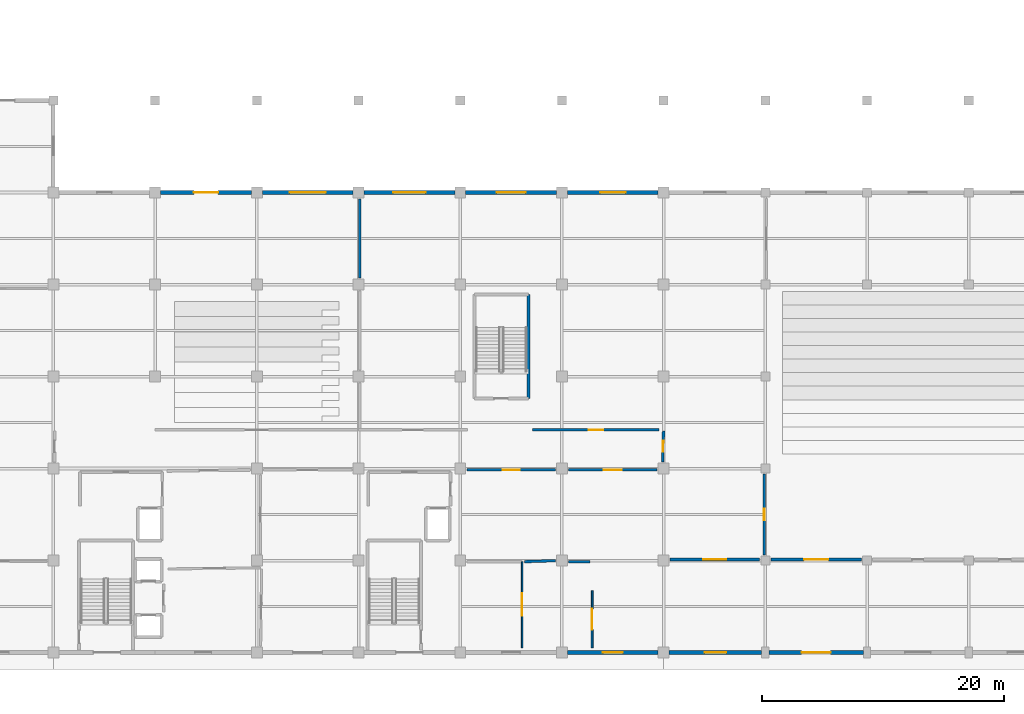
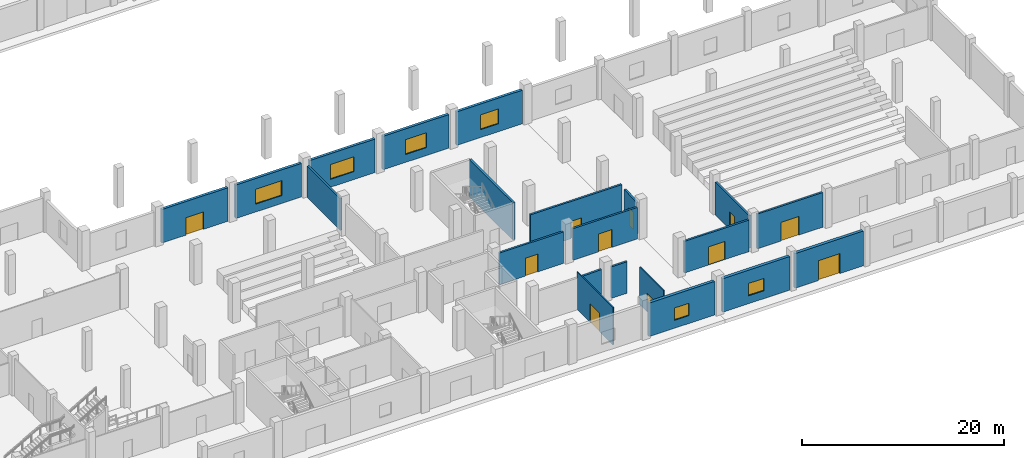
# One storey, part 19 of 36: 21 walls, 11 doors, 6 windows, 17 openings.
"""IFC4 building model written with IfcOpenShell, lengths in metres."""

from ifc_helpers import new_model, si_unit, direction, frame, frame_2d, origin, place, context, subcontext, project, spatial, rectangle, extrude, material, layer, layer_set, type_object, element, fill, save


model = new_model("IFC4")

# Units and contexts
model_context = context("Model", 3, precision=1e-05, world=origin(), true_north=direction((0.0, 1.0)))
body_context = subcontext(model_context, "Body", "Model", "MODEL_VIEW")
ifc_project = project(units=[si_unit("LENGTHUNIT", "METRE"), si_unit("AREAUNIT", "SQUARE_METRE"), si_unit("VOLUMEUNIT", "CUBIC_METRE"), si_unit("PLANEANGLEUNIT", "RADIAN"), si_unit("MASSUNIT", "GRAM", prefix="KILO")], contexts=[model_context])

# Site, building, storey
site_placement = place(None, origin())
site = spatial("IfcSite", under=ifc_project, at=site_placement, CompositionType="ELEMENT")
building_placement = place(site_placement, origin())
building = spatial("IfcBuilding", under=site, at=building_placement, Name="Zuvorla Pavilion Media Centre", CompositionType="ELEMENT")
storey_placement = place(building_placement, origin())
storey = spatial("IfcBuildingStorey", under=building, at=storey_placement, Name="L00", CompositionType="ELEMENT", Elevation=0.0)

# Wall, opening, door
ifc_material_1 = material(Name="Acoustic masonry blockwork C32/40", Category="masonry")
ifc_layer_1 = layer(ifc_material_1, 0.219970703125)
ifc_layer_set_1 = layer_set([ifc_layer_1], Name="Acoustic masonry blockwork C32/40")
wall_type_1 = type_object("IfcWallType", Name="WL-CMP-220", PredefinedType="SOLIDWALL", material=ifc_layer_set_1)
wall_1_placement = place(storey_placement, frame((108.260009765625, 21.090087890625, 0.0), z_axis=(0.0, 0.0, 1.0), x_axis=(-1.0, 0.0, 0.0)))
wall_1 = element("IfcWall", 1, at=wall_1_placement, inside=storey, type_object=wall_type_1, Name="L00 solid wall IW22 384", PredefinedType="SOLIDWALL", context=body_context, shape_type="SweptSolid", body=[
    extrude(rectangle(XDim=7.320068359375, YDim=0.219970703125, at=frame_2d((3.66015625, 0.0))), origin(), (0.0, 0.0, 1.0), 3.810302734375),
])
opening_1_placement = place(wall_1_placement, frame((2.9599609375, 0.0, 0.0)))
opening_1 = element("IfcOpeningElement", 2, at=opening_1_placement, cuts=wall_1, Name="Opening FD07", PredefinedType="OPENING", context=body_context, shape_type="SweptSolid", body=[
    extrude(rectangle(XDim=1.39990234375, YDim=2.14990234375, at=frame_2d((0.699951171875, 1.074951171875))), frame((0.0, 0.119873046875, 0.0), z_axis=(0.0, -1.0, 0.0), x_axis=(1.0, 0.0, 0.0)), (0.0, 0.0, 1.0), 0.239990234375),
])
ifc_material_2 = material(Name="Acoustic timber fire door leaf in steel frame", Category="steel")
door_type_1 = type_object("IfcDoorType", Name="DR-INT-FD07", OperationType="NOTDEFINED", PredefinedType="DOOR", material=ifc_material_2)
door_1_placement = place(opening_1_placement, origin())
door_1 = element("IfcDoor", 3, at=door_1_placement, inside=storey, type_object=door_type_1, Name="Interior door FD07 128", OperationType="DOUBLE_DOOR_SINGLE_SWING", OverallHeight=2.14990234375, OverallWidth=1.39990234375, PredefinedType="DOOR", context=body_context, shape_type="SweptSolid", body=[
    extrude(rectangle(XDim=1.39990234375, YDim=2.14990234375, at=frame_2d((0.699951171875, 1.074951171875))), frame((0.0, 0.02490234375, 0.0), z_axis=(0.0, -1.0, 0.0), x_axis=(1.0, 0.0, 0.0)), (0.0, 0.0, 1.0), 0.050048828125),
])
fill(opening_1, door_1)

wall_2_placement = place(storey_placement, frame((116.659912109375, 21.090087890625, 0.0), z_axis=(0.0, 0.0, 1.0), x_axis=(-1.0, 0.0, 0.0)))
wall_2 = element("IfcWall", 4, at=wall_2_placement, inside=storey, type_object=wall_type_1, Name="L00 solid wall IW22 385", PredefinedType="SOLIDWALL", context=body_context, shape_type="SweptSolid", body=[
    extrude(rectangle(XDim=7.31982421875, YDim=0.219970703125, at=frame_2d((3.659912109375, 0.0))), origin(), (0.0, 0.0, 1.0), 3.810302734375),
])
opening_2_placement = place(wall_2_placement, frame((2.909912109375, 0.0, 0.0)))
opening_2 = element("IfcOpeningElement", 5, at=opening_2_placement, cuts=wall_2, Name="Opening FD08", PredefinedType="OPENING", context=body_context, shape_type="SweptSolid", body=[
    extrude(rectangle(XDim=1.5, YDim=2.14990234375, at=frame_2d((0.75, 1.074951171875))), frame((0.0, 0.119873046875, 0.0), z_axis=(0.0, -1.0, 0.0), x_axis=(1.0, 0.0, 0.0)), (0.0, 0.0, 1.0), 0.239990234375),
])
door_type_2 = type_object("IfcDoorType", Name="DR-INT-FD08", OperationType="NOTDEFINED", PredefinedType="DOOR", material=ifc_material_2)
door_2_placement = place(opening_2_placement, origin())
door_2 = element("IfcDoor", 6, at=door_2_placement, inside=storey, type_object=door_type_2, Name="Interior door FD08 129", OperationType="DOUBLE_DOOR_SINGLE_SWING", OverallHeight=2.14990234375, OverallWidth=1.5, PredefinedType="DOOR", context=body_context, shape_type="SweptSolid", body=[
    extrude(rectangle(XDim=1.5, YDim=2.14990234375, at=frame_2d((0.75, 1.074951171875))), frame((0.0, 0.02490234375, 0.0), z_axis=(0.0, -1.0, 0.0), x_axis=(1.0, 0.0, 0.0)), (0.0, 0.0, 1.0), 0.050048828125),
])
fill(opening_2, door_2)

wall_3_placement = place(storey_placement, frame((125.510009765625, 20.735107421875, 0.0), z_axis=(0.0, 0.0, 1.0), x_axis=(0.0, -1.0, 0.0)))
wall_3 = element("IfcWall", 7, at=wall_3_placement, inside=storey, type_object=wall_type_1, Name="L00 solid wall IW22 391", PredefinedType="SOLIDWALL", context=body_context, shape_type="SweptSolid", body=[
    extrude(rectangle(XDim=6.670166015625, YDim=0.219970703125, at=frame_2d((3.3349609375, 0.0))), origin(), (0.0, 0.0, 1.0), 3.9501953125),
])
opening_3_placement = place(wall_3_placement, frame((2.860107421875, 0.0, 0.0)))
opening_3 = element("IfcOpeningElement", 8, at=opening_3_placement, cuts=wall_3, Name="Opening FD02", PredefinedType="OPENING", context=body_context, shape_type="SweptSolid", body=[
    extrude(rectangle(XDim=0.949951171875, YDim=2.10009765625, at=frame_2d((0.47509765625, 1.050048828125))), frame((0.0, 0.119873046875, 0.0), z_axis=(0.0, -1.0, 0.0), x_axis=(1.0, 0.0, 0.0)), (0.0, 0.0, 1.0), 0.239990234375),
])
door_type_3 = type_object("IfcDoorType", Name="DR-INT-FD02", OperationType="NOTDEFINED", PredefinedType="DOOR", material=ifc_material_2)
door_3_placement = place(opening_3_placement, origin())
door_3 = element("IfcDoor", 9, at=door_3_placement, inside=storey, type_object=door_type_3, Name="Interior door FD02 135", OperationType="SINGLE_SWING_RIGHT", OverallHeight=2.10009765625, OverallWidth=0.949951171875, PredefinedType="DOOR", context=body_context, shape_type="SweptSolid", body=[
    extrude(rectangle(XDim=0.949951171875, YDim=2.10009765625, at=frame_2d((0.47509765625, 1.050048828125))), frame((0.0, 0.02490234375, 0.0), z_axis=(0.0, -1.0, 0.0), x_axis=(1.0, 0.0, 0.0)), (0.0, 0.0, 1.0), 0.050048828125),
])
fill(opening_3, door_3)

wall_4_placement = place(storey_placement, frame((133.534912109375, 13.68994140625, 0.0), z_axis=(0.0, 0.0, 1.0), x_axis=(-1.0, 0.0, 0.0)))
wall_4 = element("IfcWall", 10, at=wall_4_placement, inside=storey, type_object=wall_type_1, Name="L00 solid wall IW22 409", PredefinedType="SOLIDWALL", context=body_context, shape_type="SweptSolid", body=[
    extrude(rectangle(XDim=7.469970703125, YDim=0.219970703125, at=frame_2d((3.73486328125, 0.0))), origin(), (0.0, 0.0, 1.0), 4.18701171875),
])
opening_4_placement = place(wall_4_placement, frame((2.735107421875, 0.0, 0.0)))
opening_4 = element("IfcOpeningElement", 11, at=opening_4_placement, cuts=wall_4, Name="Opening FD12", PredefinedType="OPENING", context=body_context, shape_type="SweptSolid", body=[
    extrude(rectangle(XDim=2.0, YDim=2.25, at=frame_2d((1.0, 1.125))), frame((0.0, 0.119873046875, 0.0), z_axis=(0.0, -1.0, 0.0), x_axis=(1.0, 0.0, 0.0)), (0.0, 0.0, 1.0), 0.239990234375),
])
door_type_4 = type_object("IfcDoorType", Name="DR-INT-FD12", OperationType="NOTDEFINED", PredefinedType="DOOR", material=ifc_material_2)
door_4_placement = place(opening_4_placement, origin())
door_4 = element("IfcDoor", 12, at=door_4_placement, inside=storey, type_object=door_type_4, Name="Interior door FD12 153", OperationType="DOUBLE_DOOR_SINGLE_SWING", OverallHeight=2.25, OverallWidth=2.0, PredefinedType="DOOR", context=body_context, shape_type="SweptSolid", body=[
    extrude(rectangle(XDim=2.0, YDim=2.25, at=frame_2d((1.0, 1.125))), frame((0.0, 0.02490234375, 0.0), z_axis=(0.0, -1.0, 0.0), x_axis=(1.0, 0.0, 0.0)), (0.0, 0.0, 1.0), 0.050048828125),
])
fill(opening_4, door_4)

wall_5_placement = place(storey_placement, frame((106.380615234375, 24.39990234375, 0.0), z_axis=(0.0, 0.0, 1.0), x_axis=(1.0, 0.0, 0.0)))
wall_5 = element("IfcWall", 13, at=wall_5_placement, inside=storey, type_object=wall_type_1, Name="L00 solid wall IW22 419", PredefinedType="SOLIDWALL", context=body_context, shape_type="SweptSolid", body=[
    extrude(rectangle(XDim=10.43896484375, YDim=0.219970703125, at=frame_2d((5.219482421875, 0.0))), origin(), (0.0, 0.0, 1.0), 4.5),
])
opening_5_placement = place(wall_5_placement, frame((4.619384765625, 0.0, 0.0)))
opening_5 = element("IfcOpeningElement", 14, at=opening_5_placement, cuts=wall_5, Name="Opening FD06", PredefinedType="OPENING", context=body_context, shape_type="SweptSolid", body=[
    extrude(rectangle(XDim=1.199951171875, YDim=2.10009765625, at=frame_2d((0.60009765625, 1.050048828125))), frame((0.0, 0.119873046875, 0.0), z_axis=(0.0, -1.0, 0.0), x_axis=(1.0, 0.0, 0.0)), (0.0, 0.0, 1.0), 0.239990234375),
])
door_type_5 = type_object("IfcDoorType", Name="DR-INT-FD06", OperationType="NOTDEFINED", PredefinedType="DOOR", material=ifc_material_2)
door_5_placement = place(opening_5_placement, origin())
door_5 = element("IfcDoor", 15, at=door_5_placement, inside=storey, type_object=door_type_5, Name="Interior door FD06 163", OperationType="SINGLE_SWING_LEFT", OverallHeight=2.10009765625, OverallWidth=1.199951171875, PredefinedType="DOOR", context=body_context, shape_type="SweptSolid", body=[
    extrude(rectangle(XDim=1.199951171875, YDim=2.10009765625, at=frame_2d((0.60009765625, 1.050048828125))), frame((0.0, 0.02490234375, 0.0), z_axis=(0.0, -1.0, 0.0), x_axis=(1.0, 0.0, 0.0)), (0.0, 0.0, 1.0), 0.050048828125),
])
fill(opening_5, door_5)

wall_6_placement = place(storey_placement, frame((117.197509765625, 24.320068359375, 0.0), z_axis=(0.0, 0.0, 1.0), x_axis=(-0.032911759551, -0.999458261301, 0.0)))
wall_6 = element("IfcWall", 16, at=wall_6_placement, inside=storey, type_object=wall_type_1, Name="L00 solid wall IW22 420", PredefinedType="SOLIDWALL", context=body_context, shape_type="SweptSolid", body=[
    extrude(rectangle(XDim=2.58154296875, YDim=0.219970703125, at=frame_2d((1.290771484375, 0.0))), origin(), (0.0, 0.0, 1.0), 3.810302734375),
])
opening_6_placement = place(wall_6_placement, frame((0.8408203125, 0.0, 0.0)))
opening_6 = element("IfcOpeningElement", 17, at=opening_6_placement, cuts=wall_6, Name="Opening FD01", PredefinedType="OPENING", context=body_context, shape_type="SweptSolid", body=[
    extrude(rectangle(XDim=0.89990234375, YDim=2.10009765625, at=frame_2d((0.449951171875, 1.050048828125))), frame((0.0, 0.119873046875, 0.0), z_axis=(0.0, -1.0, 0.0), x_axis=(1.0, 0.0, 0.0)), (0.0, 0.0, 1.0), 0.239990234375),
])
door_type_6 = type_object("IfcDoorType", Name="DR-INT-FD01", OperationType="NOTDEFINED", PredefinedType="DOOR", material=ifc_material_2)
door_6_placement = place(opening_6_placement, origin())
door_6 = element("IfcDoor", 18, at=door_6_placement, inside=storey, type_object=door_type_6, Name="Interior door FD01 164", OperationType="SINGLE_SWING_RIGHT", OverallHeight=2.10009765625, OverallWidth=0.89990234375, PredefinedType="DOOR", context=body_context, shape_type="SweptSolid", body=[
    extrude(rectangle(XDim=0.89990234375, YDim=2.10009765625, at=frame_2d((0.449951171875, 1.050048828125))), frame((0.0, 0.02490234375, 0.0), z_axis=(0.0, -1.0, 0.0), x_axis=(1.0, 0.0, 0.0)), (0.0, 0.0, 1.0), 0.050048828125),
])
fill(opening_6, door_6)

wall_7_placement = place(storey_placement, frame((125.135009765625, 13.68994140625, 0.0), z_axis=(0.0, 0.0, 1.0), x_axis=(-1.0, 0.0, 0.0)))
wall_7 = element("IfcWall", 19, at=wall_7_placement, inside=storey, type_object=wall_type_1, Name="L00 solid wall IW22 424", PredefinedType="SOLIDWALL", context=body_context, shape_type="SweptSolid", body=[
    extrude(rectangle(XDim=7.39501953125, YDim=0.219970703125, at=frame_2d((3.697509765625, 0.0))), origin(), (0.0, 0.0, 1.0), 3.810302734375),
])
opening_7_placement = place(wall_7_placement, frame((2.74755859375, 0.0, 0.0)))
opening_7 = element("IfcOpeningElement", 20, at=opening_7_placement, cuts=wall_7, Name="Opening FD11", PredefinedType="OPENING", context=body_context, shape_type="SweptSolid", body=[
    extrude(rectangle(XDim=1.89990234375, YDim=2.199951171875, at=frame_2d((0.949951171875, 1.10009765625))), frame((0.0, 0.119873046875, 0.0), z_axis=(0.0, -1.0, 0.0), x_axis=(1.0, 0.0, 0.0)), (0.0, 0.0, 1.0), 0.239990234375),
])
door_type_7 = type_object("IfcDoorType", Name="DR-INT-FD11", OperationType="NOTDEFINED", PredefinedType="DOOR", material=ifc_material_2)
door_7_placement = place(opening_7_placement, origin())
door_7 = element("IfcDoor", 21, at=door_7_placement, inside=storey, type_object=door_type_7, Name="Interior door FD11 168", OperationType="DOUBLE_DOOR_SINGLE_SWING", OverallHeight=2.199951171875, OverallWidth=1.89990234375, PredefinedType="DOOR", context=body_context, shape_type="SweptSolid", body=[
    extrude(rectangle(XDim=1.89990234375, YDim=2.199951171875, at=frame_2d((0.949951171875, 1.10009765625))), frame((0.0, 0.02490234375, 0.0), z_axis=(0.0, -1.0, 0.0), x_axis=(1.0, 0.0, 0.0)), (0.0, 0.0, 1.0), 0.050048828125),
])
fill(opening_7, door_7)

# Walls
wall_8_placement = place(storey_placement, frame((105.68994140625, 13.511474609375, 0.0), z_axis=(0.0, 0.0, 1.0), x_axis=(0.999441424237, 0.033419148982, 0.0)))
element("IfcWall", 22, at=wall_8_placement, inside=storey, type_object=wall_type_1, Name="L00 solid wall IW22 433", PredefinedType="SOLIDWALL", context=body_context, shape_type="SweptSolid", body=[
    extrude(rectangle(XDim=2.571533203125, YDim=0.219970703125, at=frame_2d((1.28564453125, 0.0))), origin(), (0.0, 0.0, 1.0), 3.810302734375),
])
wall_9_placement = place(storey_placement, frame((109.340087890625, 13.509521484375, 0.0), z_axis=(0.0, 0.0, 1.0), x_axis=(0.999988478092, -0.004800383587, 0.0)))
element("IfcWall", 23, at=wall_9_placement, inside=storey, type_object=wall_type_1, Name="L00 solid wall IW22 434", PredefinedType="SOLIDWALL", context=body_context, shape_type="SweptSolid", body=[
    extrude(rectangle(XDim=1.780029296875, YDim=0.219970703125, at=frame_2d((0.89013671875, 0.0))), origin(), (0.0, 0.0, 1.0), 3.810302734375),
])
wall_10_placement = place(storey_placement, frame((92.090087890625, 36.93994140625, 0.0), z_axis=(0.0, 0.0, 1.0), x_axis=(0.0, 1.0, 0.0)))
element("IfcWall", 24, at=wall_10_placement, inside=storey, type_object=wall_type_1, Name="L00 solid wall IW22 443", PredefinedType="SOLIDWALL", context=body_context, shape_type="SweptSolid", body=[
    extrude(rectangle(XDim=6.52001953125, YDim=0.219970703125, at=frame_2d((3.260009765625, 0.0))), origin(), (0.0, 0.0, 1.0), 3.810302734375),
])
ifc_material_3 = material(Name="Concrete C40/50", Category="concrete")
ifc_layer_2 = layer(ifc_material_3, 0.25)
ifc_layer_set_2 = layer_set([ifc_layer_2], Name="Concrete C40/50")
wall_type_2 = type_object("IfcWallType", Name="WL-COR-250", PredefinedType="SHEAR", material=ifc_layer_set_2)
wall_11_placement = place(storey_placement, frame((106.02490234375, 26.97509765625, 0.0), z_axis=(0.0, 0.0, 1.0), x_axis=(0.0, 1.0, 0.0)))
element("IfcWall", 25, at=wall_11_placement, inside=storey, type_object=wall_type_2, Name="L00 shear wall CW25 306", PredefinedType="SHEAR", context=body_context, shape_type="SweptSolid", body=[
    extrude(rectangle(XDim=8.599853515625, YDim=0.25, at=frame_2d((4.2998046875, 0.0))), origin(), (0.0, 0.0, 1.0), 4.52001953125),
])

# Wall, opening, window
ifc_material_4 = material(Name="White rendered concrete C32/40", Category="concrete")
ifc_layer_3 = layer(ifc_material_4, 0.300048828125)
ifc_layer_set_3 = layer_set([ifc_layer_3], Name="White rendered concrete C32/40")
wall_type_3 = type_object("IfcWallType", Name="WL-EXT-300", PredefinedType="SOLIDWALL", material=ifc_layer_set_3)
wall_12_placement = place(storey_placement, frame((116.75, 44.0, 0.0), z_axis=(0.0, 0.0, 1.0), x_axis=(-1.0, 0.0, 0.0)))
wall_12 = element("IfcWall", 26, at=wall_12_placement, inside=storey, type_object=wall_type_3, Name="L00 exterior solid wall EW03 75", PredefinedType="SOLIDWALL", context=body_context, shape_type="SweptSolid", body=[
    extrude(rectangle(XDim=7.5, YDim=0.300048828125, at=frame_2d((3.75, 0.0))), origin(), (0.0, 0.0, 1.0), 4.047119140625),
])
opening_8_placement = place(wall_12_placement, frame((2.699951171875, 0.0, 0.949951171875)))
opening_8 = element("IfcOpeningElement", 27, at=opening_8_placement, cuts=wall_12, Name="Opening WN13", PredefinedType="OPENING", context=body_context, shape_type="SweptSolid", body=[
    extrude(rectangle(XDim=2.10009765625, YDim=1.800048828125, at=frame_2d((1.050048828125, 0.89990234375))), frame((0.0, 0.159912109375, 0.0), z_axis=(0.0, -1.0, 0.0), x_axis=(1.0, 0.0, 0.0)), (0.0, 0.0, 1.0), 0.320068359375),
])
ifc_material_5 = material(Name="Anodised aluminium frame with solar double glazing", Category="aluminium")
window_type_1 = type_object("IfcWindowType", Name="WIN-WN13", PartitioningType="DOUBLE_PANEL_VERTICAL", PredefinedType="WINDOW", material=ifc_material_5)
window_1_placement = place(opening_8_placement, origin())
window_1 = element("IfcWindow", 28, at=window_1_placement, inside=storey, type_object=window_type_1, Name="L00 window WN13 13", OverallHeight=1.800048828125, OverallWidth=2.10009765625, PartitioningType="DOUBLE_PANEL_VERTICAL", PredefinedType="WINDOW", context=body_context, shape_type="SweptSolid", body=[
    extrude(rectangle(XDim=2.10009765625, YDim=1.800048828125, at=frame_2d((1.050048828125, 0.89990234375))), frame((0.0, 0.030029296875, 0.0), z_axis=(0.0, -1.0, 0.0), x_axis=(1.0, 0.0, 0.0)), (0.0, 0.0, 1.0), 0.06005859375),
])
fill(opening_8, window_1)

wall_13_placement = place(storey_placement, frame((108.35009765625, 44.0, 0.0), z_axis=(0.0, 0.0, 1.0), x_axis=(-1.0, 0.0, 0.0)))
wall_13 = element("IfcWall", 29, at=wall_13_placement, inside=storey, type_object=wall_type_3, Name="L00 exterior solid wall EW03 76", PredefinedType="SOLIDWALL", context=body_context, shape_type="SweptSolid", body=[
    extrude(rectangle(XDim=7.5, YDim=0.300048828125, at=frame_2d((3.75, 0.0))), origin(), (0.0, 0.0, 1.0), 4.047119140625),
])
opening_9_placement = place(wall_13_placement, frame((2.550048828125, 0.0, 0.949951171875)))
opening_9 = element("IfcOpeningElement", 30, at=opening_9_placement, cuts=wall_13, Name="Opening WN14", PredefinedType="OPENING", context=body_context, shape_type="SweptSolid", body=[
    extrude(rectangle(XDim=2.39990234375, YDim=1.800048828125, at=frame_2d((1.199951171875, 0.89990234375))), frame((0.0, 0.159912109375, 0.0), z_axis=(0.0, -1.0, 0.0), x_axis=(1.0, 0.0, 0.0)), (0.0, 0.0, 1.0), 0.320068359375),
])
window_type_2 = type_object("IfcWindowType", Name="WIN-WN14", PartitioningType="DOUBLE_PANEL_VERTICAL", PredefinedType="WINDOW", material=ifc_material_5)
window_2_placement = place(opening_9_placement, origin())
window_2 = element("IfcWindow", 31, at=window_2_placement, inside=storey, type_object=window_type_2, Name="L00 window WN14 14", OverallHeight=1.800048828125, OverallWidth=2.39990234375, PartitioningType="DOUBLE_PANEL_VERTICAL", PredefinedType="WINDOW", context=body_context, shape_type="SweptSolid", body=[
    extrude(rectangle(XDim=2.39990234375, YDim=1.800048828125, at=frame_2d((1.199951171875, 0.89990234375))), frame((0.0, 0.030029296875, 0.0), z_axis=(0.0, -1.0, 0.0), x_axis=(1.0, 0.0, 0.0)), (0.0, 0.0, 1.0), 0.06005859375),
])
fill(opening_9, window_2)

wall_14_placement = place(storey_placement, frame((99.949951171875, 44.0, 0.0), z_axis=(0.0, 0.0, 1.0), x_axis=(-1.0, 0.0, 0.0)))
wall_14 = element("IfcWall", 32, at=wall_14_placement, inside=storey, type_object=wall_type_3, Name="L00 exterior solid wall EW03 77", PredefinedType="SOLIDWALL", context=body_context, shape_type="SweptSolid", body=[
    extrude(rectangle(XDim=7.5, YDim=0.300048828125, at=frame_2d((3.75, 0.0))), origin(), (0.0, 0.0, 1.0), 4.047119140625),
])
opening_10_placement = place(wall_14_placement, frame((2.39990234375, 0.0, 0.949951171875)))
opening_10 = element("IfcOpeningElement", 33, at=opening_10_placement, cuts=wall_14, Name="Opening WN15", PredefinedType="OPENING", context=body_context, shape_type="SweptSolid", body=[
    extrude(rectangle(XDim=2.699951171875, YDim=1.800048828125, at=frame_2d((1.35009765625, 0.89990234375))), frame((0.0, 0.159912109375, 0.0), z_axis=(0.0, -1.0, 0.0), x_axis=(1.0, 0.0, 0.0)), (0.0, 0.0, 1.0), 0.320068359375),
])
window_type_3 = type_object("IfcWindowType", Name="WIN-WN15", PartitioningType="DOUBLE_PANEL_VERTICAL", PredefinedType="WINDOW", material=ifc_material_5)
window_3_placement = place(opening_10_placement, origin())
window_3 = element("IfcWindow", 34, at=window_3_placement, inside=storey, type_object=window_type_3, Name="L00 window WN15 15", OverallHeight=1.800048828125, OverallWidth=2.699951171875, PartitioningType="DOUBLE_PANEL_VERTICAL", PredefinedType="WINDOW", context=body_context, shape_type="SweptSolid", body=[
    extrude(rectangle(XDim=2.699951171875, YDim=1.800048828125, at=frame_2d((1.35009765625, 0.89990234375))), frame((0.0, 0.030029296875, 0.0), z_axis=(0.0, -1.0, 0.0), x_axis=(1.0, 0.0, 0.0)), (0.0, 0.0, 1.0), 0.06005859375),
])
fill(opening_10, window_3)

wall_15_placement = place(storey_placement, frame((91.550048828125, 44.0, 0.0), z_axis=(0.0, 0.0, 1.0), x_axis=(-1.0, 0.0, 0.0)))
wall_15 = element("IfcWall", 35, at=wall_15_placement, inside=storey, type_object=wall_type_3, Name="L00 exterior solid wall EW03 78", PredefinedType="SOLIDWALL", context=body_context, shape_type="SweptSolid", body=[
    extrude(rectangle(XDim=7.5, YDim=0.300048828125, at=frame_2d((3.75, 0.0))), origin(), (0.0, 0.0, 1.0), 4.047119140625),
])
opening_11_placement = place(wall_15_placement, frame((2.25, 0.0, 0.949951171875)))
opening_11 = element("IfcOpeningElement", 36, at=opening_11_placement, cuts=wall_15, Name="Opening WN16", PredefinedType="OPENING", context=body_context, shape_type="SweptSolid", body=[
    extrude(rectangle(XDim=3.0, YDim=1.800048828125, at=frame_2d((1.5, 0.89990234375))), frame((0.0, 0.159912109375, 0.0), z_axis=(0.0, -1.0, 0.0), x_axis=(1.0, 0.0, 0.0)), (0.0, 0.0, 1.0), 0.320068359375),
])
window_type_4 = type_object("IfcWindowType", Name="WIN-WN16", PartitioningType="DOUBLE_PANEL_VERTICAL", PredefinedType="WINDOW", material=ifc_material_5)
window_4_placement = place(opening_11_placement, origin())
window_4 = element("IfcWindow", 37, at=window_4_placement, inside=storey, type_object=window_type_4, Name="L00 window WN16 16", OverallHeight=1.800048828125, OverallWidth=3.0, PartitioningType="DOUBLE_PANEL_VERTICAL", PredefinedType="WINDOW", context=body_context, shape_type="SweptSolid", body=[
    extrude(rectangle(XDim=3.0, YDim=1.800048828125, at=frame_2d((1.5, 0.89990234375))), frame((0.0, 0.030029296875, 0.0), z_axis=(0.0, -1.0, 0.0), x_axis=(1.0, 0.0, 0.0)), (0.0, 0.0, 1.0), 0.06005859375),
])
fill(opening_11, window_4)

# Wall, opening, door
wall_16_placement = place(storey_placement, frame((83.14990234375, 44.0, 0.0), z_axis=(0.0, 0.0, 1.0), x_axis=(-1.0, 0.0, 0.0)))
wall_16 = element("IfcWall", 38, at=wall_16_placement, inside=storey, type_object=wall_type_3, Name="L00 exterior solid wall EW03 79", PredefinedType="SOLIDWALL", context=body_context, shape_type="SweptSolid", body=[
    extrude(rectangle(XDim=7.5, YDim=0.300048828125, at=frame_2d((3.75, 0.0))), origin(), (0.0, 0.0, 1.0), 4.047119140625),
])
opening_12_placement = place(wall_16_placement, frame((2.75, 0.0, 0.0)))
opening_12 = element("IfcOpeningElement", 39, at=opening_12_placement, cuts=wall_16, Name="Opening GT02", PredefinedType="OPENING", context=body_context, shape_type="SweptSolid", body=[
    extrude(rectangle(XDim=2.0, YDim=2.10009765625, at=frame_2d((1.0, 1.050048828125))), frame((0.0, 0.159912109375, 0.0), z_axis=(0.0, -1.0, 0.0), x_axis=(1.0, 0.0, 0.0)), (0.0, 0.0, 1.0), 0.320068359375),
])
ifc_material_6 = material(Name="Architectural powder-coated steel service gate", Category="steel")
door_type_8 = type_object("IfcDoorType", Name="DR-GAT-200x210", OperationType="NOTDEFINED", PredefinedType="GATE", material=ifc_material_6)
door_8_placement = place(opening_12_placement, frame((2.0, 0.0, 0.0), z_axis=(0.0, 0.0, 1.0), x_axis=(-1.0, 0.0, 0.0)))
door_8 = element("IfcDoor", 40, at=door_8_placement, inside=storey, type_object=door_type_8, Name="Exterior Exit Door DR-EXT-L00-010", OperationType="DOUBLE_DOOR_SINGLE_SWING", OverallHeight=2.10009765625, OverallWidth=2.0, PredefinedType="GATE", context=body_context, shape_type="SweptSolid", body=[
    extrude(rectangle(XDim=2.0, YDim=2.10009765625, at=frame_2d((1.0, 1.050048828125))), frame((0.0, 0.02490234375, 0.0), z_axis=(0.0, -1.0, 0.0), x_axis=(1.0, 0.0, 0.0)), (0.0, 0.0, 1.0), 0.050048828125),
])
fill(opening_12, door_8)

# Wall, opening, window
ifc_layer_4 = layer(ifc_material_4, 0.340087890625)
ifc_layer_set_4 = layer_set([ifc_layer_4], Name="White rendered concrete C32/40")
wall_type_4 = type_object("IfcWallType", Name="WL-EXT-340", PredefinedType="SOLIDWALL", material=ifc_layer_set_4)
wall_17_placement = place(storey_placement, frame((109.25, 6.0, 0.0), z_axis=(0.0, 0.0, 1.0), x_axis=(1.0, 0.0, 0.0)))
wall_17 = element("IfcWall", 41, at=wall_17_placement, inside=storey, type_object=wall_type_4, Name="L00 exterior solid wall EW02 59", PredefinedType="SOLIDWALL", context=body_context, shape_type="SweptSolid", body=[
    extrude(rectangle(XDim=7.5, YDim=0.340087890625, at=frame_2d((3.75, 0.0))), origin(), (0.0, 0.0, 1.0), 4.047119140625),
])
opening_13_placement = place(wall_17_placement, frame((2.925048828125, 0.0, 0.949951171875)))
opening_13 = element("IfcOpeningElement", 42, at=opening_13_placement, cuts=wall_17, Name="Opening WN04", PredefinedType="OPENING", context=body_context, shape_type="SweptSolid", body=[
    extrude(rectangle(XDim=1.64990234375, YDim=1.5, at=frame_2d((0.824951171875, 0.75))), frame((0.0, 0.179931640625, 0.0), z_axis=(0.0, -1.0, 0.0), x_axis=(1.0, 0.0, 0.0)), (0.0, 0.0, 1.0), 0.360107421875),
])
window_type_5 = type_object("IfcWindowType", Name="WIN-WN04", PartitioningType="SINGLE_PANEL", PredefinedType="WINDOW", material=ifc_material_5)
window_5_placement = place(opening_13_placement, origin())
window_5 = element("IfcWindow", 43, at=window_5_placement, inside=storey, type_object=window_type_5, Name="L00 window WN04 4", OverallHeight=1.5, OverallWidth=1.64990234375, PartitioningType="SINGLE_PANEL", PredefinedType="WINDOW", context=body_context, shape_type="SweptSolid", body=[
    extrude(rectangle(XDim=1.64990234375, YDim=1.5, at=frame_2d((0.824951171875, 0.75))), frame((0.0, 0.030029296875, 0.0), z_axis=(0.0, -1.0, 0.0), x_axis=(1.0, 0.0, 0.0)), (0.0, 0.0, 1.0), 0.06005859375),
])
fill(opening_13, window_5)

wall_18_placement = place(storey_placement, frame((117.64990234375, 6.0, 0.0), z_axis=(0.0, 0.0, 1.0), x_axis=(1.0, 0.0, 0.0)))
wall_18 = element("IfcWall", 44, at=wall_18_placement, inside=storey, type_object=wall_type_4, Name="L00 exterior solid wall EW02 60", PredefinedType="SOLIDWALL", context=body_context, shape_type="SweptSolid", body=[
    extrude(rectangle(XDim=7.650146484375, YDim=0.340087890625, at=frame_2d((3.8251953125, 0.0))), origin(), (0.0, 0.0, 1.0), 4.047119140625),
])
opening_14_placement = place(wall_18_placement, frame((2.925048828125, 0.0, 0.949951171875)))
opening_14 = element("IfcOpeningElement", 45, at=opening_14_placement, cuts=wall_18, Name="Opening WN05", PredefinedType="OPENING", context=body_context, shape_type="SweptSolid", body=[
    extrude(rectangle(XDim=1.800048828125, YDim=1.5, at=frame_2d((0.89990234375, 0.75))), frame((0.0, 0.179931640625, 0.0), z_axis=(0.0, -1.0, 0.0), x_axis=(1.0, 0.0, 0.0)), (0.0, 0.0, 1.0), 0.360107421875),
])
window_type_6 = type_object("IfcWindowType", Name="WIN-WN05", PartitioningType="DOUBLE_PANEL_VERTICAL", PredefinedType="WINDOW", material=ifc_material_5)
window_6_placement = place(opening_14_placement, origin())
window_6 = element("IfcWindow", 46, at=window_6_placement, inside=storey, type_object=window_type_6, Name="L00 window WN05 5", OverallHeight=1.5, OverallWidth=1.800048828125, PartitioningType="DOUBLE_PANEL_VERTICAL", PredefinedType="WINDOW", context=body_context, shape_type="SweptSolid", body=[
    extrude(rectangle(XDim=1.800048828125, YDim=1.5, at=frame_2d((0.89990234375, 0.75))), frame((0.0, 0.030029296875, 0.0), z_axis=(0.0, -1.0, 0.0), x_axis=(1.0, 0.0, 0.0)), (0.0, 0.0, 1.0), 0.06005859375),
])
fill(opening_14, window_6)

# Wall, opening, door
wall_19_placement = place(storey_placement, frame((125.89990234375, 6.0, 0.0), z_axis=(0.0, 0.0, 1.0), x_axis=(1.0, 0.0, 0.0)))
wall_19 = element("IfcWall", 47, at=wall_19_placement, inside=storey, type_object=wall_type_4, Name="L00 exterior solid wall EW02 61", PredefinedType="SOLIDWALL", context=body_context, shape_type="SweptSolid", body=[
    extrude(rectangle(XDim=7.800048828125, YDim=0.340087890625, at=frame_2d((3.89990234375, 0.0))), origin(), (0.0, 0.0, 1.0), 4.18701171875),
])
opening_15_placement = place(wall_19_placement, frame((2.699951171875, 0.0, 0.0)))
opening_15 = element("IfcOpeningElement", 48, at=opening_15_placement, cuts=wall_19, Name="Opening ED01", PredefinedType="OPENING", context=body_context, shape_type="SweptSolid", body=[
    extrude(rectangle(XDim=2.39990234375, YDim=2.39990234375, at=frame_2d((1.199951171875, 1.199951171875))), frame((0.0, 0.179931640625, 0.0), z_axis=(0.0, -1.0, 0.0), x_axis=(1.0, 0.0, 0.0)), (0.0, 0.0, 1.0), 0.360107421875),
])
ifc_material_7 = material(Name="Anodised aluminium glazed entrance door", Category="aluminium")
door_type_9 = type_object("IfcDoorType", Name="DR-EXT-240x240", OperationType="NOTDEFINED", PredefinedType="DOOR", material=ifc_material_7)
door_9_placement = place(opening_15_placement, frame((2.39990234375, 0.0, 0.0), z_axis=(0.0, 0.0, 1.0), x_axis=(-1.0, 0.0, 0.0)))
door_9 = element("IfcDoor", 49, at=door_9_placement, inside=storey, type_object=door_type_9, Name="Exterior Exit Door DR-EXT-L00-006", OperationType="DOUBLE_DOOR_SINGLE_SWING", OverallHeight=2.39990234375, OverallWidth=2.39990234375, PredefinedType="DOOR", context=body_context, shape_type="SweptSolid", body=[
    extrude(rectangle(XDim=2.39990234375, YDim=2.39990234375, at=frame_2d((1.199951171875, 1.199951171875))), frame((0.0, 0.02490234375, 0.0), z_axis=(0.0, -1.0, 0.0), x_axis=(1.0, 0.0, 0.0)), (0.0, 0.0, 1.0), 0.050048828125),
])
fill(opening_15, door_9)

ifc_material_8 = material(Name="Lightweight gypsum partition")
ifc_layer_5 = layer(ifc_material_8, 0.1201171875)
ifc_layer_set_5 = layer_set([ifc_layer_5], Name="Lightweight gypsum partition")
wall_type_5 = type_object("IfcWallType", Name="WL-PRT-120", PredefinedType="PARTITIONING", material=ifc_layer_set_5)
wall_20_placement = place(storey_placement, frame((105.510009765625, 13.52001953125, 0.0), z_axis=(0.0, 0.0, 1.0), x_axis=(0.0, -1.0, 0.0)))
wall_20 = element("IfcWall", 50, at=wall_20_placement, inside=storey, type_object=wall_type_5, Name="L00 partition PT12 431", PredefinedType="PARTITIONING", context=body_context, shape_type="SweptSolid", body=[
    extrude(rectangle(XDim=7.1201171875, YDim=0.1201171875, at=frame_2d((3.56005859375, 0.0))), origin(), (0.0, 0.0, 1.0), 4.5),
])
opening_16_placement = place(wall_20_placement, frame((2.635009765625, 0.0, 0.0)))
opening_16 = element("IfcOpeningElement", 51, at=opening_16_placement, cuts=wall_20, Name="Opening ID12", PredefinedType="OPENING", context=body_context, shape_type="SweptSolid", body=[
    extrude(rectangle(XDim=1.85009765625, YDim=2.219970703125, at=frame_2d((0.925048828125, 1.10986328125))), frame((0.0, 0.070068359375, 0.0), z_axis=(0.0, -1.0, 0.0), x_axis=(1.0, 0.0, 0.0)), (0.0, 0.0, 1.0), 0.14013671875),
])
ifc_material_9 = material(Name="Hardwood acoustic studio door in anodised frame", Category="wood")
door_type_10 = type_object("IfcDoorType", Name="DR-UNR-ID12", OperationType="NOTDEFINED", PredefinedType="DOOR", material=ifc_material_9)
door_10_placement = place(opening_16_placement, origin())
door_10 = element("IfcDoor", 52, at=door_10_placement, inside=storey, type_object=door_type_10, Name="Interior door ID12 175", OperationType="DOUBLE_DOOR_SINGLE_SWING", OverallHeight=2.219970703125, OverallWidth=1.85009765625, PredefinedType="DOOR", context=body_context, shape_type="SweptSolid", body=[
    extrude(rectangle(XDim=1.85009765625, YDim=2.219970703125, at=frame_2d((0.925048828125, 1.10986328125))), frame((0.0, 0.02490234375, 0.0), z_axis=(0.0, -1.0, 0.0), x_axis=(1.0, 0.0, 0.0)), (0.0, 0.0, 1.0), 0.050048828125),
])
fill(opening_16, door_10)

ifc_material_10 = material(Name="Acoustic gypsum stud partition")
ifc_layer_6 = layer(ifc_material_10, 0.14990234375)
ifc_layer_set_6 = layer_set([ifc_layer_6], Name="Acoustic gypsum stud partition")
wall_type_6 = type_object("IfcWallType", Name="WL-PRT-150", PredefinedType="PARTITIONING", material=ifc_layer_set_6)
wall_21_placement = place(storey_placement, frame((111.2900390625, 6.39990234375, 0.0), z_axis=(0.0, 0.0, 1.0), x_axis=(0.001965445671, 0.99999806851, 0.0)))
wall_21 = element("IfcWall", 53, at=wall_21_placement, inside=storey, type_object=wall_type_6, Name="L00 partition PT15 430", PredefinedType="PARTITIONING", context=body_context, shape_type="SweptSolid", body=[
    extrude(rectangle(XDim=4.72021484375, YDim=0.14990234375, at=frame_2d((2.360107421875, 0.0))), origin(), (0.0, 0.0, 1.0), 4.5),
])
opening_17_placement = place(wall_21_placement, frame((1.485107421875, 0.0, 0.0)))
opening_17 = element("IfcOpeningElement", 54, at=opening_17_placement, cuts=wall_21, Name="Opening ID11", PredefinedType="OPENING", context=body_context, shape_type="SweptSolid", body=[
    extrude(rectangle(XDim=1.75, YDim=2.219970703125, at=frame_2d((0.875, 1.10986328125))), frame((0.0, 0.0849609375, 0.0), z_axis=(0.0, -1.0, 0.0), x_axis=(1.0, 0.0, 0.0)), (0.0, 0.0, 1.0), 0.169921875),
])
door_type_11 = type_object("IfcDoorType", Name="DR-UNR-ID11", OperationType="NOTDEFINED", PredefinedType="DOOR", material=ifc_material_9)
door_11_placement = place(opening_17_placement, origin())
door_11 = element("IfcDoor", 55, at=door_11_placement, inside=storey, type_object=door_type_11, Name="Interior door ID11 174", OperationType="DOUBLE_DOOR_SINGLE_SWING", OverallHeight=2.219970703125, OverallWidth=1.75, PredefinedType="DOOR", context=body_context, shape_type="SweptSolid", body=[
    extrude(rectangle(XDim=1.75, YDim=2.219970703125, at=frame_2d((0.875, 1.10986328125))), frame((0.0, 0.02490234375, 0.0), z_axis=(0.0, -1.0, 0.0), x_axis=(1.0, 0.0, 0.0)), (0.0, 0.0, 1.0), 0.050048828125),
])
fill(opening_17, door_11)

save(model, "model.ifc")
